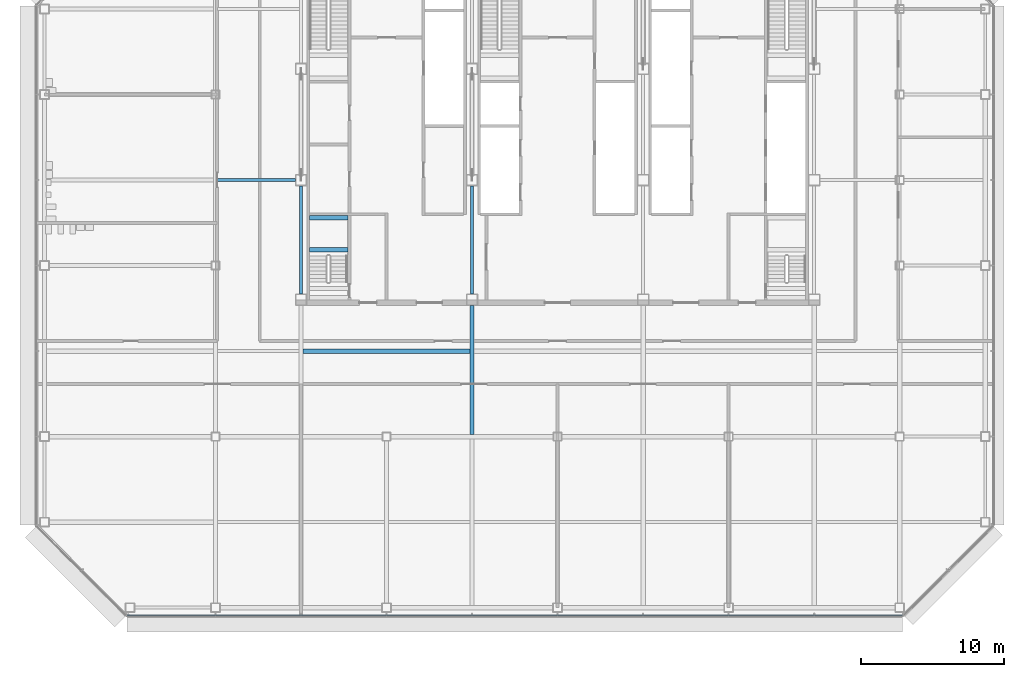
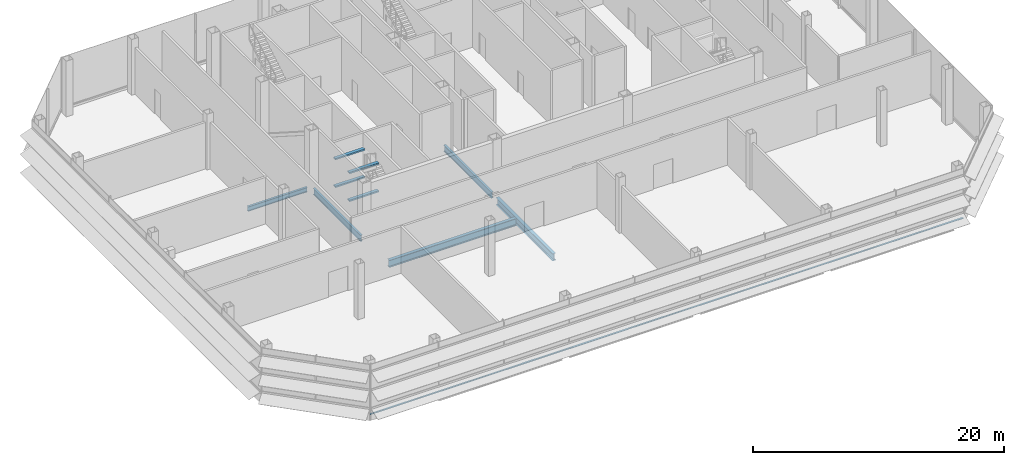
# One storey, part 7 of 25: 9 beams, 1 member, 1 element without a shape of its own.
"""IFC4 building model written with IfcOpenShell, lengths in metres."""

from ifc_helpers import new_model, si_unit, direction, frame, origin, origin_2d, place, context, subcontext, project, spatial, rectangle, i_section, extrude, material, material_profile, profile_set, type_object, element, aggregate, save


model = new_model("IFC4")

# Units and contexts
model_context = context("Model", 3, precision=1e-05, world=origin(), true_north=direction((0.0, 1.0)))
body_context = subcontext(model_context, "Body", "Model", "MODEL_VIEW")
ifc_project = project(units=[si_unit("LENGTHUNIT", "METRE"), si_unit("AREAUNIT", "SQUARE_METRE"), si_unit("VOLUMEUNIT", "CUBIC_METRE"), si_unit("PLANEANGLEUNIT", "RADIAN"), si_unit("MASSUNIT", "GRAM", prefix="KILO")], contexts=[model_context])

# Site, building, storey
site_placement = place(None, origin())
site = spatial("IfcSite", under=ifc_project, at=site_placement, CompositionType="ELEMENT")
building_placement = place(site_placement, origin())
building = spatial("IfcBuilding", under=site, at=building_placement, Name="Sorahane Residences", CompositionType="ELEMENT")
storey_placement = place(building_placement, frame((0.0, 0.0, 210.0)))
storey = spatial("IfcBuildingStorey", under=building, at=storey_placement, Name="L49", CompositionType="ELEMENT", Elevation=210.0)

# Curtain wall, member
ifc_material_1 = material(Name="Dark low-e glass and black anodised aluminium", Category="aluminium")
curtain_wall_type = type_object("IfcCurtainWallType", Name="Curtain wall CW-4 Sky floor frameless wall", PredefinedType="NOTDEFINED", material=ifc_material_1)
curtain_wall_placement = place(storey_placement, origin())
curtain_wall = element("IfcCurtainWall", 1, at=curtain_wall_placement, inside=storey, type_object=curtain_wall_type, Name="CW-4 curtain wall L49 S1", PredefinedType="NOTDEFINED")
ifc_material_2 = material(Name="Black anodised aluminium", Category="aluminium")
ifc_material_profile_1 = material_profile(ifc_material_2, rectangle(XDim=0.10009765625, YDim=0.06005859375, at=origin_2d()), Name="Curtain wall transom CW-4 black anodised aluminium 60x100")
ifc_profile_set_1 = profile_set([ifc_material_profile_1], Name="Black anodised aluminium")
member_type = type_object("IfcMemberType", Name="Curtain wall transom CW-4 black anodised aluminium 60x100", PredefinedType="USERDEFINED", material=ifc_profile_set_1)
member_placement = place(storey_placement, frame((-6.198486328125, -0.530029296875, 0.35009765625), z_axis=(1.0, 0.0, 0.0), x_axis=(0.0, 1.0, 0.0)))
member = element("IfcMember", 2, at=member_placement, type_object=member_type, Name="CW-4 transom L49 S1", ObjectType="TRANSOM", PredefinedType="USERDEFINED", context=body_context, shape_type="SweptSolid", body=[
    extrude(rectangle(XDim=0.10009765625, YDim=0.06005859375, at=origin_2d()), origin(), (0.0, 0.0, 1.0), 54.39697265625),
])
aggregate(curtain_wall, [member])

# Beams
ifc_material_3 = material(Name="Concrete C40", Category="concrete")
ifc_material_profile_2 = material_profile(ifc_material_3, rectangle(XDim=0.300048828125, YDim=0.139892578125, at=origin_2d()), Name="300x140")
ifc_profile_set_2 = profile_set([ifc_material_profile_2], Name="Concrete C40")
beam_type_1 = type_object("IfcBeamType", Name="RC landing beam 300 x 140 Concrete C40", PredefinedType="BEAM", material=ifc_profile_set_2)
for number, where, z_axis, x_axis, name in (
    (3, (6.60009765625, 25.1201171875, 1.080078125), (1.0, 0.0, 0.0), (0.0, 1.0, 0.0), "Landing beam"),
    (4, (6.60009765625, 27.35009765625, 1.080078125), (1.0, 0.0, 0.0), (0.0, 1.0, 0.0), "Landing beam"),
    (5, (6.60009765625, 25.1201171875, 3.780029296875), (1.0, 0.0, 0.0), (0.0, 1.0, 0.0), "Landing beam"),
    (6, (6.60009765625, 27.35009765625, 3.780029296875), (1.0, 0.0, 0.0), (0.0, 1.0, 0.0), "Landing beam"),
):
    element("IfcBeam", number, at=place(storey_placement, frame(where, z_axis=z_axis, x_axis=x_axis)), inside=storey, type_object=beam_type_1, Name=name, PredefinedType="BEAM", context=body_context, shape_type="SweptSolid", body=[
        extrude(rectangle(XDim=0.300048828125, YDim=0.139892578125, at=origin_2d()), origin(), (0.0, 0.0, 1.0), 2.699951171875),
    ])
ifc_material_4 = material(Name="Steel Q355B", Category="steel")
ifc_material_profile_3 = material_profile(ifc_material_4, i_section(OverallWidth=0.199951171875, OverallDepth=0.449951171875, WebThickness=0.009033203125, FlangeThickness=0.013916015625, FilletRadius=0.02001953125, at=origin_2d()), Name="HN 450x200x9x14")
ifc_profile_set_3 = profile_set([ifc_material_profile_3], Name="Steel Q355B")
beam_type_2 = type_object("IfcBeamType", Name="Steel floor beam HN 450x200x9x14 Q355B", PredefinedType="BEAM", material=ifc_profile_set_3)
beam_1_placement = place(storey_placement, frame((0.14990234375, 30.0, -0.445068359375), z_axis=(1.0, 0.0, 0.0), x_axis=(0.0, 1.0, 0.0)))
element("IfcBeam", 7, at=beam_1_placement, inside=storey, type_object=beam_type_2, Name="Beam L49 086", PredefinedType="BEAM", context=body_context, shape_type="SweptSolid", body=[
    extrude(i_section(OverallWidth=0.199951171875, OverallDepth=0.449951171875, WebThickness=0.009033203125, FlangeThickness=0.013916015625, FilletRadius=0.02001953125, at=origin_2d()), origin(), (0.0, 0.0, 1.0), 5.4501953125),
])
ifc_material_5 = material(Name="Steel Q355B", Category="steel")
ifc_material_profile_4 = material_profile(ifc_material_5, i_section(OverallWidth=0.199951171875, OverallDepth=0.60009765625, WebThickness=0.010986328125, FlangeThickness=0.01708984375, FilletRadius=0.02392578125, at=origin_2d()), Name="HN 600x200x11x17")
ifc_profile_set_4 = profile_set([ifc_material_profile_4], Name="Steel Q355B")
beam_type_3 = type_object("IfcBeamType", Name="Steel floor beam HN 600x200x11x17 Q355B", PredefinedType="BEAM", material=ifc_profile_set_4)
for number, where, z_axis, x_axis, name in (
    (8, (6.0, 22.0, -0.52001953125), (0.0, 1.0, 0.0), (-1.0, 0.0, 0.0), "Beam L49 030"),
    (9, (18.0, 22.0, -0.52001953125), (0.0, 1.0, 0.0), (-1.0, 0.0, 0.0), "Beam L49 038"),
):
    element("IfcBeam", number, at=place(storey_placement, frame(where, z_axis=z_axis, x_axis=x_axis)), inside=storey, type_object=beam_type_3, Name=name, PredefinedType="BEAM", context=body_context, shape_type="SweptSolid", body=[
        extrude(i_section(OverallWidth=0.199951171875, OverallDepth=0.60009765625, WebThickness=0.010986328125, FlangeThickness=0.01708984375, FilletRadius=0.02392578125, at=origin_2d()), origin(), (0.0, 0.0, 1.0), 7.60009765625),
    ])
ifc_material_6 = material(Name="Steel Q355B", Category="steel")
ifc_material_profile_5 = material_profile(ifc_material_6, i_section(OverallWidth=0.300048828125, OverallDepth=0.699951171875, WebThickness=0.012939453125, FlangeThickness=0.02392578125, FilletRadius=0.028076171875, at=origin_2d()), Name="HN 700x300x13x24")
ifc_profile_set_5 = profile_set([ifc_material_profile_5], Name="Steel Q355B")
beam_type_4 = type_object("IfcBeamType", Name="Steel floor beam HN 700x300x13x24 Q355B", PredefinedType="BEAM", material=ifc_profile_set_5)
beam_2_placement = place(storey_placement, frame((18.0, 12.14990234375, -0.570068359375), z_axis=(0.0, 1.0, 0.0), x_axis=(-1.0, 0.0, 0.0)))
element("IfcBeam", 10, at=beam_2_placement, inside=storey, type_object=beam_type_4, Name="Beam L49 037", PredefinedType="BEAM", context=body_context, shape_type="SweptSolid", body=[
    extrude(i_section(OverallWidth=0.300048828125, OverallDepth=0.699951171875, WebThickness=0.012939453125, FlangeThickness=0.02392578125, FilletRadius=0.028076171875, at=origin_2d()), origin(), (0.0, 0.0, 1.0), 9.050048828125),
])
beam_3_placement = place(storey_placement, frame((6.14990234375, 18.0, -0.570068359375), z_axis=(1.0, 0.0, 0.0), x_axis=(0.0, 1.0, 0.0)))
element("IfcBeam", 11, at=beam_3_placement, inside=storey, type_object=beam_type_4, Name="Beam L49 080", PredefinedType="BEAM", context=body_context, shape_type="SweptSolid", body=[
    extrude(i_section(OverallWidth=0.300048828125, OverallDepth=0.699951171875, WebThickness=0.012939453125, FlangeThickness=0.02392578125, FilletRadius=0.028076171875, at=origin_2d()), origin(), (0.0, 0.0, 1.0), 11.7001953125),
])

save(model, "model.ifc")
